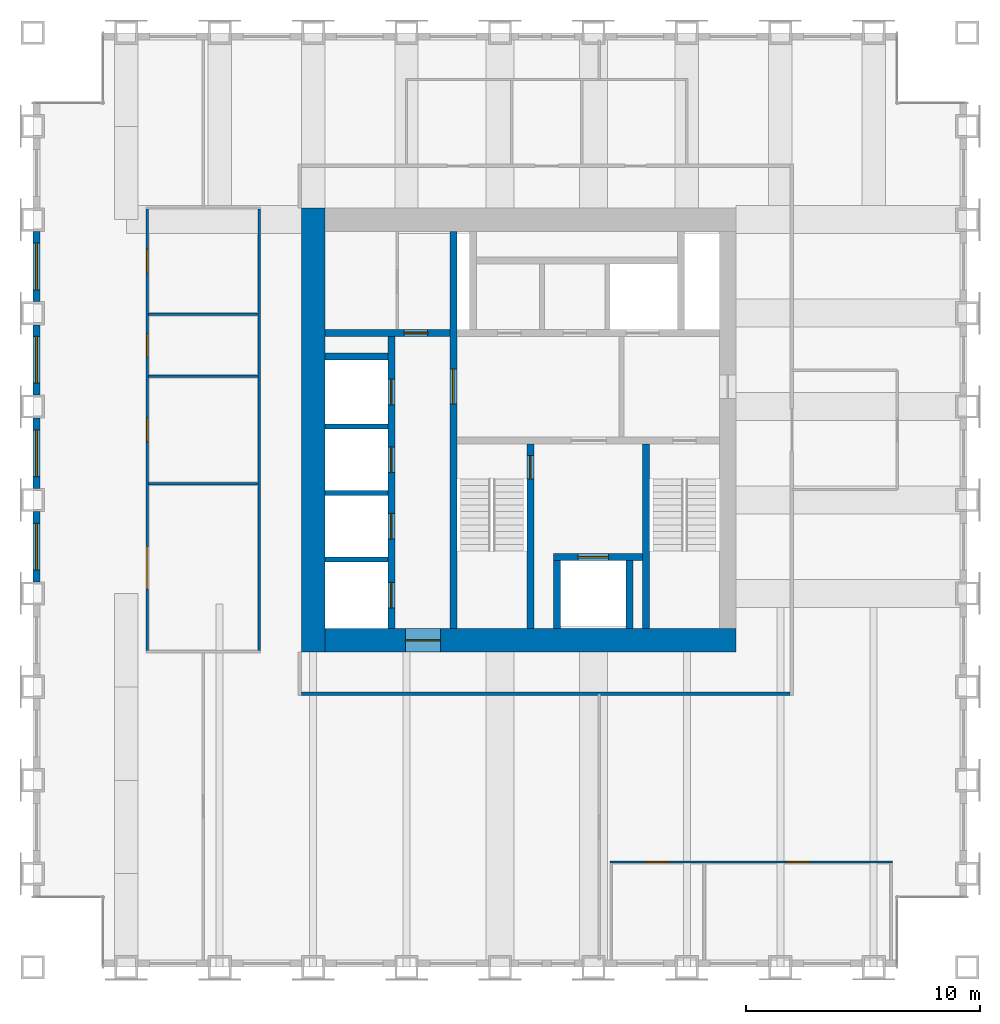
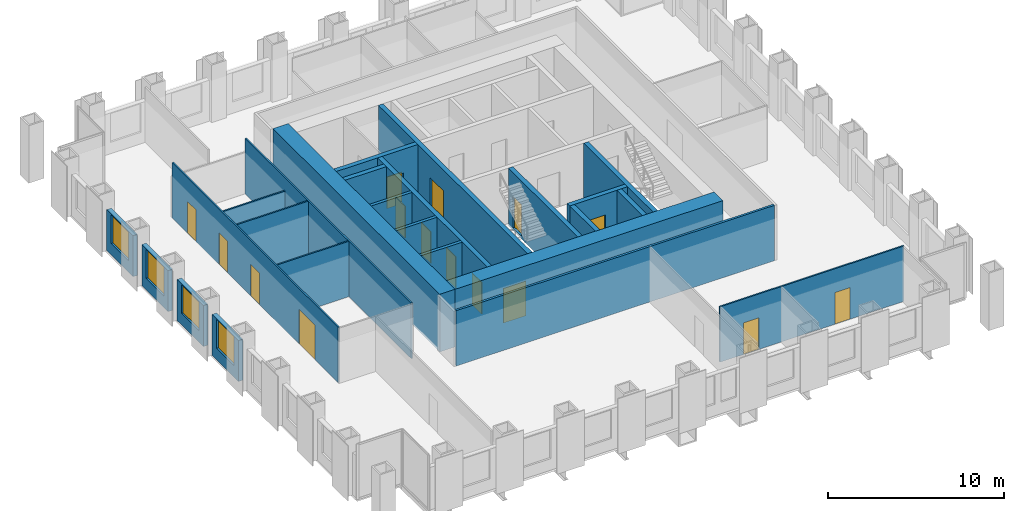
# One storey, part 7 of 10: 25 walls, 15 doors, 4 windows, 19 openings.
"""IFC4 building model written with IfcOpenShell, lengths in metres."""

from ifc_helpers import new_model, si_unit, direction, frame, frame_2d, origin, place, context, subcontext, project, spatial, rectangle, extrude, material, layer, layer_set, type_object, element, fill, save


model = new_model("IFC4")

# Units and contexts
model_context = context("Model", 3, precision=1e-05, world=origin(), true_north=direction((0.0, 1.0)))
body_context = subcontext(model_context, "Body", "Model", "MODEL_VIEW")
ifc_project = project(units=[si_unit("LENGTHUNIT", "METRE"), si_unit("AREAUNIT", "SQUARE_METRE"), si_unit("VOLUMEUNIT", "CUBIC_METRE"), si_unit("PLANEANGLEUNIT", "RADIAN"), si_unit("MASSUNIT", "GRAM", prefix="KILO")], contexts=[model_context])

# Site, building, storey
site_placement = place(None, origin())
site = spatial("IfcSite", under=ifc_project, at=site_placement, CompositionType="ELEMENT")
building_placement = place(site_placement, origin())
building = spatial("IfcBuilding", under=site, at=building_placement, Name="Rimbunsela Tower", CompositionType="ELEMENT")
storey_placement = place(building_placement, frame((0.0, 0.0, 274.199951171875)))
storey = spatial("IfcBuildingStorey", under=building, at=storey_placement, Name="L66", CompositionType="ELEMENT", Elevation=274.199951171875)

# Wall, opening, door
ifc_material_1 = material(Name="Concrete fc' 80 MPa", Category="concrete")
ifc_layer_1 = layer(ifc_material_1, 0.300048828125)
ifc_layer_set_1 = layer_set([ifc_layer_1], Name="Core internal wall 300")
wall_type_1 = type_object("IfcWallType", Name="Core internal wall 300", PredefinedType="SHEAR", material=ifc_layer_set_1)
wall_1_placement = place(storey_placement, frame((24.0, 18.5, -0.14990234375), z_axis=(0.0, 0.0, 1.0), x_axis=(0.0, 1.0, 0.0)))
wall_1 = element("IfcWall", 1, at=wall_1_placement, inside=storey, type_object=wall_type_1, Name="Core wall at stair A", PredefinedType="SHEAR", context=body_context, shape_type="SweptSolid", body=[
    extrude(rectangle(XDim=17.0, YDim=0.300048828125, at=frame_2d((8.5, 0.0))), origin(), (0.0, 0.0, 1.0), 4.0),
])
opening_1_placement = place(wall_1_placement, frame((9.60009765625, 0.0, 0.14990234375)))
opening_1 = element("IfcOpeningElement", 2, at=opening_1_placement, cuts=wall_1, Name="Opening D03", PredefinedType="OPENING", context=body_context, shape_type="SweptSolid", body=[
    extrude(rectangle(XDim=1.5, YDim=2.39990234375, at=frame_2d((0.75, 1.199951171875))), frame((0.0, 0.159912109375, 0.0), z_axis=(0.0, -1.0, 0.0), x_axis=(1.0, 0.0, 0.0)), (0.0, 0.0, 1.0), 0.320068359375),
])
ifc_material_2 = material(Name="Steel door, fire rated", Category="steel")
door_type_1 = type_object("IfcDoorType", Name="Core lobby door 1500", OperationType="DOUBLE_DOOR_DOUBLE_SWING", PredefinedType="DOOR", material=ifc_material_2)
door_1_placement = place(opening_1_placement, origin())
door_1 = element("IfcDoor", 3, at=door_1_placement, inside=storey, type_object=door_type_1, Name="West lobby door", OperationType="DOUBLE_DOOR_DOUBLE_SWING", OverallHeight=2.39990234375, OverallWidth=1.5, PredefinedType="DOOR", context=body_context, shape_type="SweptSolid", body=[
    extrude(rectangle(XDim=1.5, YDim=2.39990234375, at=frame_2d((0.75, 1.199951171875))), frame((0.0, 0.02490234375, 0.0), z_axis=(0.0, -1.0, 0.0), x_axis=(1.0, 0.0, 0.0)), (0.0, 0.0, 1.0), 0.050048828125),
])
fill(opening_1, door_1)

wall_2_placement = place(storey_placement, frame((27.300048828125, 18.5, -0.14990234375), z_axis=(0.0, 0.0, 1.0), x_axis=(0.0, 1.0, 0.0)))
wall_2 = element("IfcWall", 4, at=wall_2_placement, inside=storey, type_object=wall_type_1, Name="Stair A enclosure", PredefinedType="SHEAR", context=body_context, shape_type="SweptSolid", body=[
    extrude(rectangle(XDim=7.89990234375, YDim=0.300048828125, at=frame_2d((3.949951171875, 0.0))), origin(), (0.0, 0.0, 1.0), 4.0),
])
opening_2_placement = place(wall_2_placement, frame((6.39990234375, 0.0, 0.14990234375)))
opening_2 = element("IfcOpeningElement", 5, at=opening_2_placement, cuts=wall_2, Name="Opening D01", PredefinedType="OPENING", context=body_context, shape_type="SweptSolid", body=[
    extrude(rectangle(XDim=1.0, YDim=2.199951171875, at=frame_2d((0.5, 1.10009765625))), frame((0.0, 0.159912109375, 0.0), z_axis=(0.0, -1.0, 0.0), x_axis=(1.0, 0.0, 0.0)), (0.0, 0.0, 1.0), 0.320068359375),
])
ifc_material_3 = material(Name="Steel door, fire rated", Category="steel")
door_type_2 = type_object("IfcDoorType", Name="Stair door 1000", OperationType="SINGLE_SWING_RIGHT", PredefinedType="DOOR", material=ifc_material_3)
door_2_placement = place(opening_2_placement, origin())
door_2 = element("IfcDoor", 6, at=door_2_placement, inside=storey, type_object=door_type_2, Name="Stair A door", OperationType="SINGLE_SWING_RIGHT", OverallHeight=2.199951171875, OverallWidth=1.0, PredefinedType="DOOR", context=body_context, shape_type="SweptSolid", body=[
    extrude(rectangle(XDim=1.0, YDim=2.199951171875, at=frame_2d((0.5, 1.10009765625))), frame((0.0, 0.02490234375, 0.0), z_axis=(0.0, -1.0, 0.0), x_axis=(1.0, 0.0, 0.0)), (0.0, 0.0, 1.0), 0.050048828125),
])
fill(opening_2, door_2)

# Walls
wall_3_placement = place(storey_placement, frame((32.25, 18.5, -0.14990234375), z_axis=(0.0, 0.0, 1.0), x_axis=(0.0, 1.0, 0.0)))
element("IfcWall", 7, at=wall_3_placement, inside=storey, type_object=wall_type_1, Name="Stair B enclosure", PredefinedType="SHEAR", context=body_context, shape_type="SweptSolid", body=[
    extrude(rectangle(XDim=7.89990234375, YDim=0.300048828125, at=frame_2d((3.949951171875, 0.0))), origin(), (0.0, 0.0, 1.0), 4.0),
])
for number, where, z_axis, x_axis, name in (
    (8, (28.449951171875, 18.5, -0.14990234375), (0.0, 0.0, 1.0), (0.0, 1.0, 0.0), "Firefighting lift shaft west"),
    (9, (31.550048828125, 18.5, -0.14990234375), (0.0, 0.0, 1.0), (0.0, 1.0, 0.0), "Firefighting lift shaft east"),
):
    element("IfcWall", number, at=place(storey_placement, frame(where, z_axis=z_axis, x_axis=x_axis)), inside=storey, type_object=wall_type_1, Name=name, PredefinedType="SHEAR", context=body_context, shape_type="SweptSolid", body=[
        extrude(rectangle(XDim=2.89990234375, YDim=0.300048828125, at=frame_2d((1.449951171875, 0.0))), origin(), (0.0, 0.0, 1.0), 4.0),
    ])

# Wall, opening, door
wall_4_placement = place(storey_placement, frame((28.300048828125, 21.550048828125, -0.14990234375), z_axis=(0.0, 0.0, 1.0), x_axis=(1.0, 0.0, 0.0)))
wall_4 = element("IfcWall", 10, at=wall_4_placement, inside=storey, type_object=wall_type_1, Name="Firefighting lift shaft front", PredefinedType="SHEAR", context=body_context, shape_type="SweptSolid", body=[
    extrude(rectangle(XDim=3.800048828125, YDim=0.300048828125, at=frame_2d((1.89990234375, 0.0))), origin(), (0.0, 0.0, 1.0), 4.0),
])
opening_3_placement = place(wall_4_placement, frame((1.050048828125, 0.0, 0.14990234375)))
opening_3 = element("IfcOpeningElement", 11, at=opening_3_placement, cuts=wall_4, Name="Opening LD2", PredefinedType="OPENING", context=body_context, shape_type="SweptSolid", body=[
    extrude(rectangle(XDim=1.300048828125, YDim=2.39990234375, at=frame_2d((0.64990234375, 1.199951171875))), frame((0.0, 0.159912109375, 0.0), z_axis=(0.0, -1.0, 0.0), x_axis=(1.0, 0.0, 0.0)), (0.0, 0.0, 1.0), 0.320068359375),
])
ifc_material_4 = material(Name="Steel door, fire rated", Category="steel")
door_type_3 = type_object("IfcDoorType", Name="Lift landing door 1300", OperationType="DOUBLE_DOOR_SLIDING", PredefinedType="DOOR", material=ifc_material_4)
door_3_placement = place(opening_3_placement, origin())
door_3 = element("IfcDoor", 12, at=door_3_placement, inside=storey, type_object=door_type_3, Name="Lift landing door FL1", OperationType="DOUBLE_DOOR_SLIDING", OverallHeight=2.39990234375, OverallWidth=1.300048828125, PredefinedType="DOOR", context=body_context, shape_type="SweptSolid", body=[
    extrude(rectangle(XDim=1.300048828125, YDim=2.39990234375, at=frame_2d((0.64990234375, 1.199951171875))), frame((0.0, 0.02490234375, 0.0), z_axis=(0.0, -1.0, 0.0), x_axis=(1.0, 0.0, 0.0)), (0.0, 0.0, 1.0), 0.050048828125),
])
fill(opening_3, door_3)

# Wall, openings, doors
wall_5_placement = place(storey_placement, frame((21.35009765625, 18.5, -0.14990234375), z_axis=(0.0, 0.0, 1.0), x_axis=(0.0, 1.0, 0.0)))
wall_5 = element("IfcWall", 13, at=wall_5_placement, inside=storey, type_object=wall_type_1, Name="Lift shaft front west", PredefinedType="SHEAR", context=body_context, shape_type="SweptSolid", body=[
    extrude(rectangle(XDim=12.5, YDim=0.300048828125, at=frame_2d((6.25, 0.0))), origin(), (0.0, 0.0, 1.0), 4.0),
])
opening_4_placement = place(wall_5_placement, frame((0.875, 0.0, 0.14990234375)))
opening_4 = element("IfcOpeningElement", 14, at=opening_4_placement, cuts=wall_5, Name="Opening LD1", PredefinedType="OPENING", context=body_context, shape_type="SweptSolid", body=[
    extrude(rectangle(XDim=1.10009765625, YDim=2.199951171875, at=frame_2d((0.550048828125, 1.10009765625))), frame((0.0, 0.159912109375, 0.0), z_axis=(0.0, -1.0, 0.0), x_axis=(1.0, 0.0, 0.0)), (0.0, 0.0, 1.0), 0.320068359375),
])
opening_5_placement = place(wall_5_placement, frame((3.824951171875, 0.0, 0.14990234375)))
opening_5 = element("IfcOpeningElement", 15, at=opening_5_placement, cuts=wall_5, Name="Opening LD1", PredefinedType="OPENING", context=body_context, shape_type="SweptSolid", body=[
    extrude(rectangle(XDim=1.10009765625, YDim=2.199951171875, at=frame_2d((0.550048828125, 1.10009765625))), frame((0.0, 0.159912109375, 0.0), z_axis=(0.0, -1.0, 0.0), x_axis=(1.0, 0.0, 0.0)), (0.0, 0.0, 1.0), 0.320068359375),
])
opening_6_placement = place(wall_5_placement, frame((6.675048828125, 0.0, 0.14990234375)))
opening_6 = element("IfcOpeningElement", 16, at=opening_6_placement, cuts=wall_5, Name="Opening LD1", PredefinedType="OPENING", context=body_context, shape_type="SweptSolid", body=[
    extrude(rectangle(XDim=1.10009765625, YDim=2.199951171875, at=frame_2d((0.550048828125, 1.10009765625))), frame((0.0, 0.159912109375, 0.0), z_axis=(0.0, -1.0, 0.0), x_axis=(1.0, 0.0, 0.0)), (0.0, 0.0, 1.0), 0.320068359375),
])
opening_7_placement = place(wall_5_placement, frame((9.574951171875, 0.0, 0.14990234375)))
opening_7 = element("IfcOpeningElement", 17, at=opening_7_placement, cuts=wall_5, Name="Opening LD1", PredefinedType="OPENING", context=body_context, shape_type="SweptSolid", body=[
    extrude(rectangle(XDim=1.10009765625, YDim=2.199951171875, at=frame_2d((0.550048828125, 1.10009765625))), frame((0.0, 0.159912109375, 0.0), z_axis=(0.0, -1.0, 0.0), x_axis=(1.0, 0.0, 0.0)), (0.0, 0.0, 1.0), 0.320068359375),
])
ifc_material_5 = material(Name="Steel door, fire rated", Category="steel")
door_type_4 = type_object("IfcDoorType", Name="Lift landing door 1100", OperationType="DOUBLE_DOOR_SLIDING", PredefinedType="DOOR", material=ifc_material_5)
door_4_placement = place(opening_4_placement, origin())
door_4 = element("IfcDoor", 18, at=door_4_placement, inside=storey, type_object=door_type_4, Name="Lift landing door TL1", OperationType="DOUBLE_DOOR_SLIDING", OverallHeight=2.199951171875, OverallWidth=1.10009765625, PredefinedType="DOOR", context=body_context, shape_type="SweptSolid", body=[
    extrude(rectangle(XDim=1.10009765625, YDim=2.199951171875, at=frame_2d((0.550048828125, 1.10009765625))), frame((0.0, 0.02490234375, 0.0), z_axis=(0.0, -1.0, 0.0), x_axis=(1.0, 0.0, 0.0)), (0.0, 0.0, 1.0), 0.050048828125),
])
fill(opening_4, door_4)
door_5_placement = place(opening_5_placement, origin())
door_5 = element("IfcDoor", 19, at=door_5_placement, inside=storey, type_object=door_type_4, Name="Lift landing door TL2", OperationType="DOUBLE_DOOR_SLIDING", OverallHeight=2.199951171875, OverallWidth=1.10009765625, PredefinedType="DOOR", context=body_context, shape_type="SweptSolid", body=[
    extrude(rectangle(XDim=1.10009765625, YDim=2.199951171875, at=frame_2d((0.550048828125, 1.10009765625))), frame((0.0, 0.02490234375, 0.0), z_axis=(0.0, -1.0, 0.0), x_axis=(1.0, 0.0, 0.0)), (0.0, 0.0, 1.0), 0.050048828125),
])
fill(opening_5, door_5)
door_6_placement = place(opening_6_placement, origin())
door_6 = element("IfcDoor", 20, at=door_6_placement, inside=storey, type_object=door_type_4, Name="Lift landing door TL3", OperationType="DOUBLE_DOOR_SLIDING", OverallHeight=2.199951171875, OverallWidth=1.10009765625, PredefinedType="DOOR", context=body_context, shape_type="SweptSolid", body=[
    extrude(rectangle(XDim=1.10009765625, YDim=2.199951171875, at=frame_2d((0.550048828125, 1.10009765625))), frame((0.0, 0.02490234375, 0.0), z_axis=(0.0, -1.0, 0.0), x_axis=(1.0, 0.0, 0.0)), (0.0, 0.0, 1.0), 0.050048828125),
])
fill(opening_6, door_6)
door_7_placement = place(opening_7_placement, origin())
door_7 = element("IfcDoor", 21, at=door_7_placement, inside=storey, type_object=door_type_4, Name="Lift landing door TL4", OperationType="DOUBLE_DOOR_SLIDING", OverallHeight=2.199951171875, OverallWidth=1.10009765625, PredefinedType="DOOR", context=body_context, shape_type="SweptSolid", body=[
    extrude(rectangle(XDim=1.10009765625, YDim=2.199951171875, at=frame_2d((0.550048828125, 1.10009765625))), frame((0.0, 0.02490234375, 0.0), z_axis=(0.0, -1.0, 0.0), x_axis=(1.0, 0.0, 0.0)), (0.0, 0.0, 1.0), 0.050048828125),
])
fill(opening_7, door_7)

# Wall, opening, door
wall_6_placement = place(storey_placement, frame((18.5, 31.14990234375, -0.14990234375), z_axis=(0.0, 0.0, 1.0), x_axis=(1.0, 0.0, 0.0)))
wall_6 = element("IfcWall", 22, at=wall_6_placement, inside=storey, type_object=wall_type_1, Name="Store wall", PredefinedType="SHEAR", context=body_context, shape_type="SweptSolid", body=[
    extrude(rectangle(XDim=5.35009765625, YDim=0.300048828125, at=frame_2d((2.675048828125, 0.0))), origin(), (0.0, 0.0, 1.0), 4.0),
])
opening_8_placement = place(wall_6_placement, frame((3.39990234375, 0.0, 0.14990234375)))
opening_8 = element("IfcOpeningElement", 23, at=opening_8_placement, cuts=wall_6, Name="Opening D19", PredefinedType="OPENING", context=body_context, shape_type="SweptSolid", body=[
    extrude(rectangle(XDim=1.0, YDim=2.199951171875, at=frame_2d((0.5, 1.10009765625))), frame((0.0, 0.159912109375, 0.0), z_axis=(0.0, -1.0, 0.0), x_axis=(1.0, 0.0, 0.0)), (0.0, 0.0, 1.0), 0.320068359375),
])
ifc_material_6 = material(Name="Steel door, fire rated", Category="steel")
door_type_5 = type_object("IfcDoorType", Name="Service door 1000 fire rated", OperationType="SINGLE_SWING_LEFT", PredefinedType="DOOR", material=ifc_material_6)
door_8_placement = place(opening_8_placement, origin())
door_8 = element("IfcDoor", 24, at=door_8_placement, inside=storey, type_object=door_type_5, Name="Staff pantry door", OperationType="SINGLE_SWING_LEFT", OverallHeight=2.199951171875, OverallWidth=1.0, PredefinedType="DOOR", context=body_context, shape_type="SweptSolid", body=[
    extrude(rectangle(XDim=1.0, YDim=2.199951171875, at=frame_2d((0.5, 1.10009765625))), frame((0.0, 0.02490234375, 0.0), z_axis=(0.0, -1.0, 0.0), x_axis=(1.0, 0.0, 0.0)), (0.0, 0.0, 1.0), 0.050048828125),
])
fill(opening_8, door_8)

# Walls
wall_7_placement = place(storey_placement, frame((18.5, 30.14990234375, -0.14990234375), z_axis=(0.0, 0.0, 1.0), x_axis=(1.0, 0.0, 0.0)))
element("IfcWall", 25, at=wall_7_placement, inside=storey, type_object=wall_type_1, Name="Lift shaft rear west", PredefinedType="SHEAR", context=body_context, shape_type="SweptSolid", body=[
    extrude(rectangle(XDim=2.699951171875, YDim=0.300048828125, at=frame_2d((1.35009765625, 0.0))), origin(), (0.0, 0.0, 1.0), 4.0),
])
ifc_material_7 = material(Name="Concrete fc' 80 MPa", Category="concrete")
ifc_layer_2 = layer(ifc_material_7, 1.0)
ifc_layer_set_2 = layer_set([ifc_layer_2], Name="Core wall 1000")
wall_type_2 = type_object("IfcWallType", Name="Core wall 1000", PredefinedType="SHEAR", material=ifc_layer_set_2)
wall_8_placement = place(storey_placement, frame((18.0, 17.5, -0.14990234375), z_axis=(0.0, 0.0, 1.0), x_axis=(0.0, 1.0, 0.0)))
element("IfcWall", 26, at=wall_8_placement, inside=storey, type_object=wall_type_2, Name="Core wall west", PredefinedType="SHEAR", context=body_context, shape_type="SweptSolid", body=[
    extrude(rectangle(XDim=19.0, YDim=1.0, at=frame_2d((9.5, 0.0))), origin(), (0.0, 0.0, 1.0), 4.0),
])

# Wall, opening, door
wall_9_placement = place(storey_placement, frame((18.5, 18.0, -0.14990234375), z_axis=(0.0, 0.0, 1.0), x_axis=(1.0, 0.0, 0.0)))
wall_9 = element("IfcWall", 27, at=wall_9_placement, inside=storey, type_object=wall_type_2, Name="Core wall south", PredefinedType="SHEAR", context=body_context, shape_type="SweptSolid", body=[
    extrude(rectangle(XDim=17.60009765625, YDim=1.0, at=frame_2d((8.800048828125, 0.0))), origin(), (0.0, 0.0, 1.0), 4.0),
])
opening_9_placement = place(wall_9_placement, frame((3.449951171875, 0.0, 0.14990234375)))
opening_9 = element("IfcOpeningElement", 28, at=opening_9_placement, cuts=wall_9, Name="Opening D03", PredefinedType="OPENING", context=body_context, shape_type="SweptSolid", body=[
    extrude(rectangle(XDim=1.5, YDim=2.39990234375, at=frame_2d((0.75, 1.199951171875))), frame((0.0, 0.510009765625, 0.0), z_axis=(0.0, -1.0, 0.0), x_axis=(1.0, 0.0, 0.0)), (0.0, 0.0, 1.0), 1.02001953125),
])
door_9_placement = place(opening_9_placement, origin())
door_9 = element("IfcDoor", 29, at=door_9_placement, inside=storey, type_object=door_type_1, Name="Core door south", OperationType="DOUBLE_DOOR_DOUBLE_SWING", OverallHeight=2.39990234375, OverallWidth=1.5, PredefinedType="DOOR", context=body_context, shape_type="SweptSolid", body=[
    extrude(rectangle(XDim=1.5, YDim=2.39990234375, at=frame_2d((0.75, 1.199951171875))), frame((0.0, 0.02490234375, 0.0), z_axis=(0.0, -1.0, 0.0), x_axis=(1.0, 0.0, 0.0)), (0.0, 0.0, 1.0), 0.050048828125),
])
fill(opening_9, door_9)

# Walls
ifc_material_8 = material(Name="Concrete blockwork", Category="masonry")
ifc_layer_3 = layer(ifc_material_8, 0.199951171875)
ifc_layer_set_3 = layer_set([ifc_layer_3], Name="Lift shaft wall 200")
wall_type_3 = type_object("IfcWallType", Name="Lift shaft wall 200", PredefinedType="SOLIDWALL", material=ifc_layer_set_3)
for number, where, z_axis, x_axis, name in (
    (30, (18.5, 21.449951171875, -0.14990234375), (0.0, 0.0, 1.0), (1.0, 0.0, 0.0), "Lift shaft separation"),
    (31, (18.5, 24.300048828125, -0.14990234375), (0.0, 0.0, 1.0), (1.0, 0.0, 0.0), "Lift shaft separation"),
    (32, (18.5, 27.14990234375, -0.14990234375), (0.0, 0.0, 1.0), (1.0, 0.0, 0.0), "Lift shaft separation"),
):
    element("IfcWall", number, at=place(storey_placement, frame(where, z_axis=z_axis, x_axis=x_axis)), inside=storey, type_object=wall_type_3, Name=name, PredefinedType="SOLIDWALL", context=body_context, shape_type="SweptSolid", body=[
        extrude(rectangle(XDim=2.699951171875, YDim=0.199951171875, at=frame_2d((1.35009765625, 0.0))), origin(), (0.0, 0.0, 1.0), 4.0),
    ])

# Wall, openings, doors
ifc_material_9 = material(Name="Gypsum board on steel studs", Category="steel")
ifc_layer_4 = layer(ifc_material_9, 0.10009765625)
ifc_layer_set_4 = layer_set([ifc_layer_4], Name="Office partition 100")
wall_type_4 = type_object("IfcWallType", Name="Office partition 100", PredefinedType="PARTITIONING", material=ifc_layer_set_4)
wall_10_placement = place(storey_placement, frame((30.699951171875, 8.5, 0.0), z_axis=(0.0, 0.0, 1.0), x_axis=(1.0, 0.0, 0.0)))
wall_10 = element("IfcWall", 33, at=wall_10_placement, inside=storey, type_object=wall_type_4, Name="Office partition", PredefinedType="PARTITIONING", context=body_context, shape_type="SweptSolid", body=[
    extrude(rectangle(XDim=12.10009765625, YDim=0.10009765625, at=frame_2d((6.050048828125, 0.0))), origin(), (0.0, 0.0, 1.0), 3.85009765625),
])
opening_10_placement = place(wall_10_placement, frame((1.550048828125, 0.0, 0.0)))
opening_10 = element("IfcOpeningElement", 34, at=opening_10_placement, cuts=wall_10, Name="Opening D16", PredefinedType="OPENING", context=body_context, shape_type="SweptSolid", body=[
    extrude(rectangle(XDim=1.0, YDim=2.199951171875, at=frame_2d((0.5, 1.10009765625))), frame((0.0, 0.06005859375, 0.0), z_axis=(0.0, -1.0, 0.0), x_axis=(1.0, 0.0, 0.0)), (0.0, 0.0, 1.0), 0.1201171875),
])
opening_11_placement = place(wall_10_placement, frame((7.550048828125, 0.0, 0.0)))
opening_11 = element("IfcOpeningElement", 35, at=opening_11_placement, cuts=wall_10, Name="Opening D16", PredefinedType="OPENING", context=body_context, shape_type="SweptSolid", body=[
    extrude(rectangle(XDim=1.0, YDim=2.199951171875, at=frame_2d((0.5, 1.10009765625))), frame((0.0, 0.06005859375, 0.0), z_axis=(0.0, -1.0, 0.0), x_axis=(1.0, 0.0, 0.0)), (0.0, 0.0, 1.0), 0.1201171875),
])
ifc_material_10 = material(Name="Timber door", Category="wood")
door_type_6 = type_object("IfcDoorType", Name="Office door 1000", OperationType="SINGLE_SWING_LEFT", PredefinedType="DOOR", material=ifc_material_10)
door_10_placement = place(opening_10_placement, origin())
door_10 = element("IfcDoor", 36, at=door_10_placement, inside=storey, type_object=door_type_6, Name="Office door", OperationType="SINGLE_SWING_LEFT", OverallHeight=2.199951171875, OverallWidth=1.0, PredefinedType="DOOR", context=body_context, shape_type="SweptSolid", body=[
    extrude(rectangle(XDim=1.0, YDim=2.199951171875, at=frame_2d((0.5, 1.10009765625))), frame((0.0, 0.02490234375, 0.0), z_axis=(0.0, -1.0, 0.0), x_axis=(1.0, 0.0, 0.0)), (0.0, 0.0, 1.0), 0.050048828125),
])
fill(opening_10, door_10)
door_11_placement = place(opening_11_placement, origin())
door_11 = element("IfcDoor", 37, at=door_11_placement, inside=storey, type_object=door_type_6, Name="Office door", OperationType="SINGLE_SWING_LEFT", OverallHeight=2.199951171875, OverallWidth=1.0, PredefinedType="DOOR", context=body_context, shape_type="SweptSolid", body=[
    extrude(rectangle(XDim=1.0, YDim=2.199951171875, at=frame_2d((0.5, 1.10009765625))), frame((0.0, 0.02490234375, 0.0), z_axis=(0.0, -1.0, 0.0), x_axis=(1.0, 0.0, 0.0)), (0.0, 0.0, 1.0), 0.050048828125),
])
fill(opening_11, door_11)

# Walls
for number, where, z_axis, x_axis, name in (
    (38, (10.949951171875, 24.699951171875, 0.0), (0.0, 0.0, 1.0), (1.0, 0.0, 0.0), "Office partition"),
    (39, (10.949951171875, 29.300048828125, 0.0), (0.0, 0.0, 1.0), (1.0, 0.0, 0.0), "Office partition"),
):
    element("IfcWall", number, at=place(storey_placement, frame(where, z_axis=z_axis, x_axis=x_axis)), inside=storey, type_object=wall_type_4, Name=name, PredefinedType="PARTITIONING", context=body_context, shape_type="SweptSolid", body=[
        extrude(rectangle(XDim=4.699951171875, YDim=0.10009765625, at=frame_2d((2.35009765625, 0.0))), origin(), (0.0, 0.0, 1.0), 3.85009765625),
    ])
wall_11_placement = place(storey_placement, frame((10.949951171875, 31.949951171875, 0.0), z_axis=(0.0, 0.0, 1.0), x_axis=(1.0, 0.0, 0.0)))
element("IfcWall", 40, at=wall_11_placement, inside=storey, type_object=wall_type_4, Name="Office partition", PredefinedType="PARTITIONING", context=body_context, shape_type="SweptSolid", body=[
    extrude(rectangle(XDim=4.699951171875, YDim=0.10009765625, at=frame_2d((2.35009765625, 0.0))), origin(), (0.0, 0.0, 1.0), 2.949951171875),
])

# Wall, openings, doors
wall_12_placement = place(storey_placement, frame((10.89990234375, 17.550048828125, 0.0), z_axis=(0.0, 0.0, 1.0), x_axis=(0.0, 1.0, 0.0)))
wall_12 = element("IfcWall", 41, at=wall_12_placement, inside=storey, type_object=wall_type_4, Name="Office partition", PredefinedType="PARTITIONING", context=body_context, shape_type="SweptSolid", body=[
    extrude(rectangle(XDim=18.89990234375, YDim=0.10009765625, at=frame_2d((9.449951171875, 0.0))), origin(), (0.0, 0.0, 1.0), 3.85009765625),
])
opening_12_placement = place(wall_12_placement, frame((2.64990234375, 0.0, 0.0)))
opening_12 = element("IfcOpeningElement", 42, at=opening_12_placement, cuts=wall_12, Name="Opening D18", PredefinedType="OPENING", context=body_context, shape_type="SweptSolid", body=[
    extrude(rectangle(XDim=1.800048828125, YDim=2.39990234375, at=frame_2d((0.89990234375, 1.199951171875))), frame((0.0, 0.06005859375, 0.0), z_axis=(0.0, -1.0, 0.0), x_axis=(1.0, 0.0, 0.0)), (0.0, 0.0, 1.0), 0.1201171875),
])
opening_13_placement = place(wall_12_placement, frame((8.949951171875, 0.0, 0.0)))
opening_13 = element("IfcOpeningElement", 43, at=opening_13_placement, cuts=wall_12, Name="Opening D16", PredefinedType="OPENING", context=body_context, shape_type="SweptSolid", body=[
    extrude(rectangle(XDim=1.0, YDim=2.199951171875, at=frame_2d((0.5, 1.10009765625))), frame((0.0, 0.06005859375, 0.0), z_axis=(0.0, -1.0, 0.0), x_axis=(1.0, 0.0, 0.0)), (0.0, 0.0, 1.0), 0.1201171875),
])
opening_14_placement = place(wall_12_placement, frame((12.574951171875, 0.0, 0.0)))
opening_14 = element("IfcOpeningElement", 44, at=opening_14_placement, cuts=wall_12, Name="Opening D16", PredefinedType="OPENING", context=body_context, shape_type="SweptSolid", body=[
    extrude(rectangle(XDim=1.0, YDim=2.199951171875, at=frame_2d((0.5, 1.10009765625))), frame((0.0, 0.06005859375, 0.0), z_axis=(0.0, -1.0, 0.0), x_axis=(1.0, 0.0, 0.0)), (0.0, 0.0, 1.0), 0.1201171875),
])
opening_15_placement = place(wall_12_placement, frame((16.175048828125, 0.0, 0.0)))
opening_15 = element("IfcOpeningElement", 45, at=opening_15_placement, cuts=wall_12, Name="Opening D16", PredefinedType="OPENING", context=body_context, shape_type="SweptSolid", body=[
    extrude(rectangle(XDim=1.0, YDim=2.199951171875, at=frame_2d((0.5, 1.10009765625))), frame((0.0, 0.06005859375, 0.0), z_axis=(0.0, -1.0, 0.0), x_axis=(1.0, 0.0, 0.0)), (0.0, 0.0, 1.0), 0.1201171875),
])
ifc_material_11 = material(Name="Glazed aluminium door", Category="aluminium")
door_type_7 = type_object("IfcDoorType", Name="Boardroom door 1800 glazed", OperationType="DOUBLE_DOOR_DOUBLE_SWING", PredefinedType="DOOR", material=ifc_material_11)
door_12_placement = place(opening_12_placement, origin())
door_12 = element("IfcDoor", 46, at=door_12_placement, inside=storey, type_object=door_type_7, Name="Boardroom door", OperationType="DOUBLE_DOOR_DOUBLE_SWING", OverallHeight=2.39990234375, OverallWidth=1.800048828125, PredefinedType="DOOR", context=body_context, shape_type="SweptSolid", body=[
    extrude(rectangle(XDim=1.800048828125, YDim=2.39990234375, at=frame_2d((0.89990234375, 1.199951171875))), frame((0.0, 0.02490234375, 0.0), z_axis=(0.0, -1.0, 0.0), x_axis=(1.0, 0.0, 0.0)), (0.0, 0.0, 1.0), 0.050048828125),
])
fill(opening_12, door_12)
door_13_placement = place(opening_13_placement, origin())
door_13 = element("IfcDoor", 47, at=door_13_placement, inside=storey, type_object=door_type_6, Name="Office door", OperationType="SINGLE_SWING_LEFT", OverallHeight=2.199951171875, OverallWidth=1.0, PredefinedType="DOOR", context=body_context, shape_type="SweptSolid", body=[
    extrude(rectangle(XDim=1.0, YDim=2.199951171875, at=frame_2d((0.5, 1.10009765625))), frame((0.0, 0.02490234375, 0.0), z_axis=(0.0, -1.0, 0.0), x_axis=(1.0, 0.0, 0.0)), (0.0, 0.0, 1.0), 0.050048828125),
])
fill(opening_13, door_13)
door_14_placement = place(opening_14_placement, origin())
door_14 = element("IfcDoor", 48, at=door_14_placement, inside=storey, type_object=door_type_6, Name="Office door", OperationType="SINGLE_SWING_LEFT", OverallHeight=2.199951171875, OverallWidth=1.0, PredefinedType="DOOR", context=body_context, shape_type="SweptSolid", body=[
    extrude(rectangle(XDim=1.0, YDim=2.199951171875, at=frame_2d((0.5, 1.10009765625))), frame((0.0, 0.02490234375, 0.0), z_axis=(0.0, -1.0, 0.0), x_axis=(1.0, 0.0, 0.0)), (0.0, 0.0, 1.0), 0.050048828125),
])
fill(opening_14, door_14)
door_15_placement = place(opening_15_placement, origin())
door_15 = element("IfcDoor", 49, at=door_15_placement, inside=storey, type_object=door_type_6, Name="Office door", OperationType="SINGLE_SWING_LEFT", OverallHeight=2.199951171875, OverallWidth=1.0, PredefinedType="DOOR", context=body_context, shape_type="SweptSolid", body=[
    extrude(rectangle(XDim=1.0, YDim=2.199951171875, at=frame_2d((0.5, 1.10009765625))), frame((0.0, 0.02490234375, 0.0), z_axis=(0.0, -1.0, 0.0), x_axis=(1.0, 0.0, 0.0)), (0.0, 0.0, 1.0), 0.050048828125),
])
fill(opening_15, door_15)

# Wall
wall_13_placement = place(storey_placement, frame((15.699951171875, 17.550048828125, 0.0), z_axis=(0.0, 0.0, 1.0), x_axis=(0.0, 1.0, 0.0)))
element("IfcWall", 50, at=wall_13_placement, inside=storey, type_object=wall_type_4, Name="Office partition", PredefinedType="PARTITIONING", context=body_context, shape_type="SweptSolid", body=[
    extrude(rectangle(XDim=18.89990234375, YDim=0.10009765625, at=frame_2d((9.449951171875, 0.0))), origin(), (0.0, 0.0, 1.0), 3.85009765625),
])

# Wall, opening, window
ifc_material_12 = material(Name="Precast concrete fc' 35 MPa", Category="concrete")
ifc_layer_5 = layer(ifc_material_12, 0.300048828125)
ifc_layer_set_5 = layer_set([ifc_layer_5], Name="Precast concrete fc' 35 MPa")
wall_type_5 = type_object("IfcWallType", Name="Precast facade panel 300", PredefinedType="ELEMENTEDWALL", material=ifc_layer_set_5)
wall_14_placement = place(storey_placement, frame((6.14990234375, 23.5, 0.0), z_axis=(0.0, 0.0, 1.0), x_axis=(0.0, -1.0, 0.0)))
wall_14 = element("IfcWall", 51, at=wall_14_placement, inside=storey, type_object=wall_type_5, Name="Facade panel W L66", PredefinedType="ELEMENTEDWALL", context=body_context, shape_type="SweptSolid", body=[
    extrude(rectangle(XDim=3.0, YDim=0.300048828125, at=frame_2d((1.5, 0.0))), origin(), (0.0, 0.0, 1.0), 2.85009765625),
])
opening_16_placement = place(wall_14_placement, frame((0.5, 0.0, 0.800048828125)))
opening_16 = element("IfcOpeningElement", 52, at=opening_16_placement, cuts=wall_14, Name="Opening W1", PredefinedType="OPENING", context=body_context, shape_type="SweptSolid", body=[
    extrude(rectangle(XDim=2.0, YDim=2.0, at=frame_2d((1.0, 1.0))), frame((0.0, 0.159912109375, 0.0), z_axis=(0.0, -1.0, 0.0), x_axis=(1.0, 0.0, 0.0)), (0.0, 0.0, 1.0), 0.320068359375),
])
ifc_material_13 = material(Name="Clear glass in aluminium frame", Category="aluminium")
window_type = type_object("IfcWindowType", Name="Window W1 2000x2000", PartitioningType="DOUBLE_PANEL_VERTICAL", PredefinedType="WINDOW", material=ifc_material_13)
window_1_placement = place(opening_16_placement, origin())
window_1 = element("IfcWindow", 53, at=window_1_placement, inside=storey, type_object=window_type, Name="Window L66", OverallHeight=2.0, OverallWidth=2.0, PartitioningType="SINGLE_PANEL", PredefinedType="WINDOW", context=body_context, shape_type="SweptSolid", body=[
    extrude(rectangle(XDim=2.0, YDim=2.0, at=frame_2d((1.0, 1.0))), frame((0.0, 0.030029296875, 0.0), z_axis=(0.0, -1.0, 0.0), x_axis=(1.0, 0.0, 0.0)), (0.0, 0.0, 1.0), 0.06005859375),
])
fill(opening_16, window_1)

wall_15_placement = place(storey_placement, frame((6.14990234375, 27.5, 0.0), z_axis=(0.0, 0.0, 1.0), x_axis=(0.0, -1.0, 0.0)))
wall_15 = element("IfcWall", 54, at=wall_15_placement, inside=storey, type_object=wall_type_5, Name="Facade panel W L66", PredefinedType="ELEMENTEDWALL", context=body_context, shape_type="SweptSolid", body=[
    extrude(rectangle(XDim=3.0, YDim=0.300048828125, at=frame_2d((1.5, 0.0))), origin(), (0.0, 0.0, 1.0), 2.85009765625),
])
opening_17_placement = place(wall_15_placement, frame((0.5, 0.0, 0.800048828125)))
opening_17 = element("IfcOpeningElement", 55, at=opening_17_placement, cuts=wall_15, Name="Opening W1", PredefinedType="OPENING", context=body_context, shape_type="SweptSolid", body=[
    extrude(rectangle(XDim=2.0, YDim=2.0, at=frame_2d((1.0, 1.0))), frame((0.0, 0.159912109375, 0.0), z_axis=(0.0, -1.0, 0.0), x_axis=(1.0, 0.0, 0.0)), (0.0, 0.0, 1.0), 0.320068359375),
])
window_2_placement = place(opening_17_placement, origin())
window_2 = element("IfcWindow", 56, at=window_2_placement, inside=storey, type_object=window_type, Name="Window L66", OverallHeight=2.0, OverallWidth=2.0, PartitioningType="SINGLE_PANEL", PredefinedType="WINDOW", context=body_context, shape_type="SweptSolid", body=[
    extrude(rectangle(XDim=2.0, YDim=2.0, at=frame_2d((1.0, 1.0))), frame((0.0, 0.030029296875, 0.0), z_axis=(0.0, -1.0, 0.0), x_axis=(1.0, 0.0, 0.0)), (0.0, 0.0, 1.0), 0.06005859375),
])
fill(opening_17, window_2)

wall_16_placement = place(storey_placement, frame((6.14990234375, 31.5, 0.0), z_axis=(0.0, 0.0, 1.0), x_axis=(0.0, -1.0, 0.0)))
wall_16 = element("IfcWall", 57, at=wall_16_placement, inside=storey, type_object=wall_type_5, Name="Facade panel W L66", PredefinedType="ELEMENTEDWALL", context=body_context, shape_type="SweptSolid", body=[
    extrude(rectangle(XDim=3.0, YDim=0.300048828125, at=frame_2d((1.5, 0.0))), origin(), (0.0, 0.0, 1.0), 2.85009765625),
])
opening_18_placement = place(wall_16_placement, frame((0.5, 0.0, 0.800048828125)))
opening_18 = element("IfcOpeningElement", 58, at=opening_18_placement, cuts=wall_16, Name="Opening W1", PredefinedType="OPENING", context=body_context, shape_type="SweptSolid", body=[
    extrude(rectangle(XDim=2.0, YDim=2.0, at=frame_2d((1.0, 1.0))), frame((0.0, 0.159912109375, 0.0), z_axis=(0.0, -1.0, 0.0), x_axis=(1.0, 0.0, 0.0)), (0.0, 0.0, 1.0), 0.320068359375),
])
window_3_placement = place(opening_18_placement, origin())
window_3 = element("IfcWindow", 59, at=window_3_placement, inside=storey, type_object=window_type, Name="Window L66", OverallHeight=2.0, OverallWidth=2.0, PartitioningType="SINGLE_PANEL", PredefinedType="WINDOW", context=body_context, shape_type="SweptSolid", body=[
    extrude(rectangle(XDim=2.0, YDim=2.0, at=frame_2d((1.0, 1.0))), frame((0.0, 0.030029296875, 0.0), z_axis=(0.0, -1.0, 0.0), x_axis=(1.0, 0.0, 0.0)), (0.0, 0.0, 1.0), 0.06005859375),
])
fill(opening_18, window_3)

wall_17_placement = place(storey_placement, frame((6.14990234375, 35.5, 0.0), z_axis=(0.0, 0.0, 1.0), x_axis=(0.0, -1.0, 0.0)))
wall_17 = element("IfcWall", 60, at=wall_17_placement, inside=storey, type_object=wall_type_5, Name="Facade panel W L66", PredefinedType="ELEMENTEDWALL", context=body_context, shape_type="SweptSolid", body=[
    extrude(rectangle(XDim=3.0, YDim=0.300048828125, at=frame_2d((1.5, 0.0))), origin(), (0.0, 0.0, 1.0), 2.85009765625),
])
opening_19_placement = place(wall_17_placement, frame((0.5, 0.0, 0.800048828125)))
opening_19 = element("IfcOpeningElement", 61, at=opening_19_placement, cuts=wall_17, Name="Opening W1", PredefinedType="OPENING", context=body_context, shape_type="SweptSolid", body=[
    extrude(rectangle(XDim=2.0, YDim=2.0, at=frame_2d((1.0, 1.0))), frame((0.0, 0.159912109375, 0.0), z_axis=(0.0, -1.0, 0.0), x_axis=(1.0, 0.0, 0.0)), (0.0, 0.0, 1.0), 0.320068359375),
])
window_4_placement = place(opening_19_placement, origin())
window_4 = element("IfcWindow", 62, at=window_4_placement, inside=storey, type_object=window_type, Name="Window L66", OverallHeight=2.0, OverallWidth=2.0, PartitioningType="SINGLE_PANEL", PredefinedType="WINDOW", context=body_context, shape_type="SweptSolid", body=[
    extrude(rectangle(XDim=2.0, YDim=2.0, at=frame_2d((1.0, 1.0))), frame((0.0, 0.030029296875, 0.0), z_axis=(0.0, -1.0, 0.0), x_axis=(1.0, 0.0, 0.0)), (0.0, 0.0, 1.0), 0.06005859375),
])
fill(opening_19, window_4)

# Wall
ifc_material_14 = material(Name="Fire-rated gypsum board on steel studs, EI 60", Category="steel")
ifc_layer_6 = layer(ifc_material_14, 0.14990234375)
ifc_layer_set_6 = layer_set([ifc_layer_6], Name="Rated corridor wall 150")
wall_type_6 = type_object("IfcWallType", Name="Rated corridor wall 150", PredefinedType="PARTITIONING", material=ifc_layer_set_6)
wall_18_placement = place(storey_placement, frame((17.5, 15.699951171875, 0.0), z_axis=(0.0, 0.0, 1.0), x_axis=(1.0, 0.0, 0.0)))
element("IfcWall", 63, at=wall_18_placement, inside=storey, type_object=wall_type_6, Name="Corridor wall south", PredefinedType="PARTITIONING", context=body_context, shape_type="SweptSolid", body=[
    extrude(rectangle(XDim=20.925048828125, YDim=0.14990234375, at=frame_2d((10.46240234375, 0.0))), origin(), (0.0, 0.0, 1.0), 3.85009765625),
])

save(model, "model.ifc")
